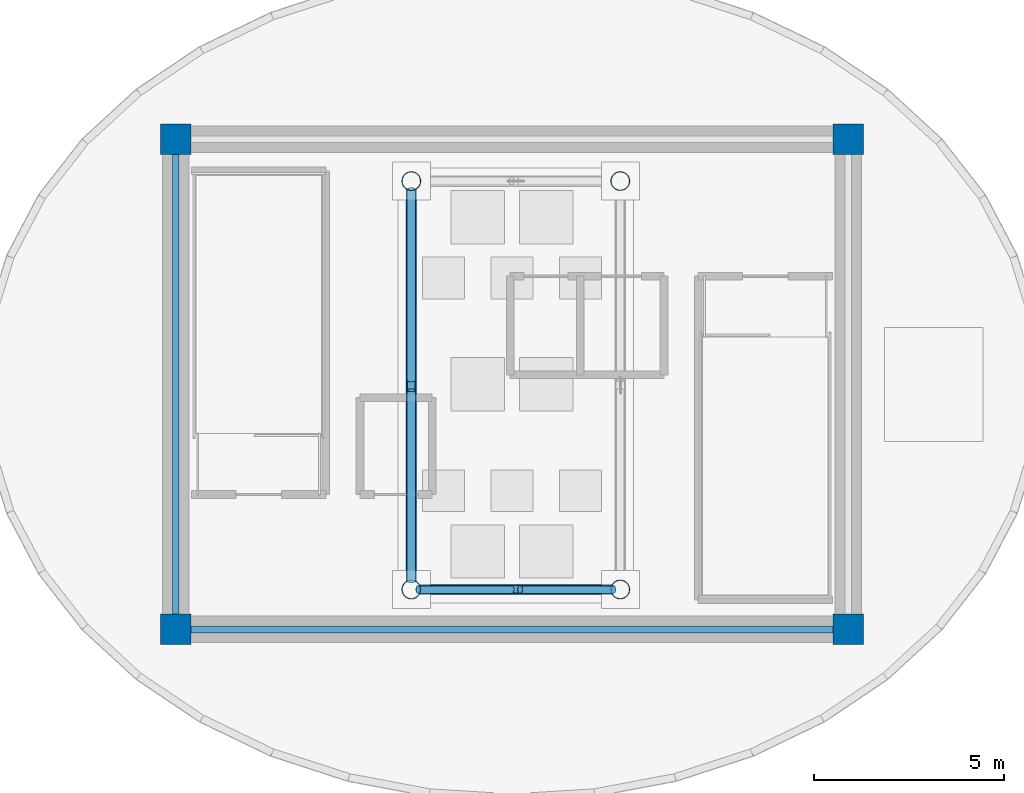
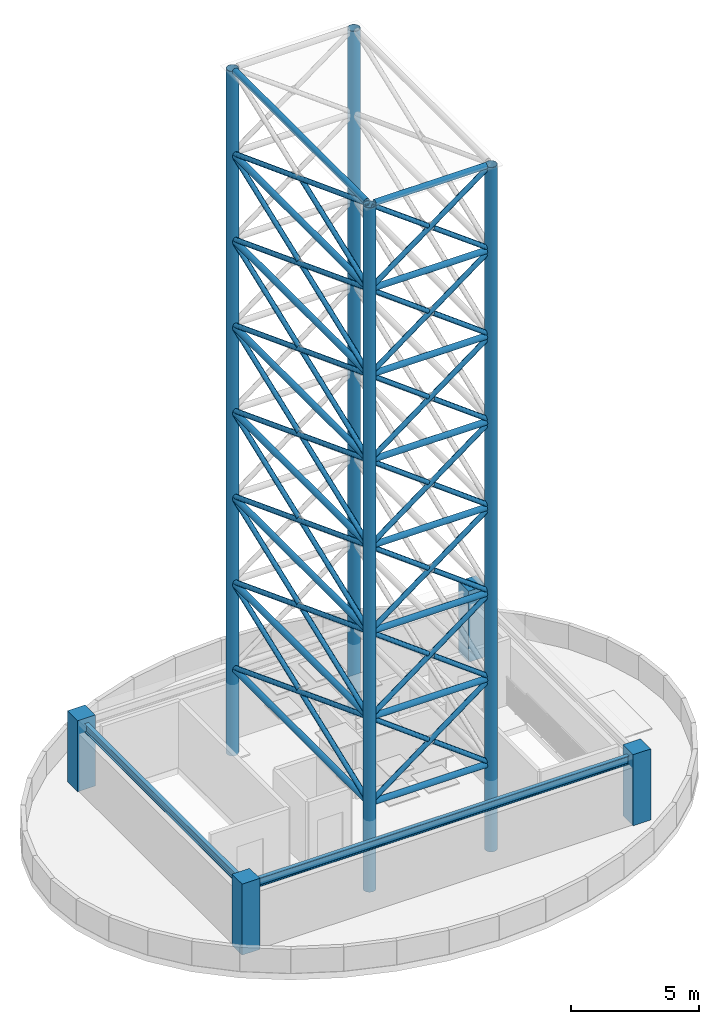
# One storey, part 1 of 6: 41 members, 18 beams, 8 columns.
"""IFC4 building model written with IfcOpenShell, lengths in metres."""

from ifc_helpers import new_model, si_unit, direction, frame, origin, origin_2d, place, context, subcontext, project, spatial, rectangle, hollow_circle, i_section, extrude, material, material_profile, profile_set, type_object, element, save


model = new_model("IFC4")

# Units and contexts
model_context = context("Model", 3, precision=1e-05, world=origin(), true_north=direction((0.0, 1.0)))
body_context = subcontext(model_context, "Body", "Model", "MODEL_VIEW")
ifc_project = project(units=[si_unit("LENGTHUNIT", "METRE"), si_unit("AREAUNIT", "SQUARE_METRE"), si_unit("VOLUMEUNIT", "CUBIC_METRE"), si_unit("PLANEANGLEUNIT", "RADIAN"), si_unit("MASSUNIT", "GRAM", prefix="KILO")], contexts=[model_context])

# Site, building, storey
site_placement = place(None, origin())
site = spatial("IfcSite", under=ifc_project, at=site_placement, CompositionType="ELEMENT")
building_placement = place(site_placement, origin())
building = spatial("IfcBuilding", under=site, at=building_placement, Name="Linh Dai School and Residence Tower", CompositionType="ELEMENT")
storey_placement = place(building_placement, frame((0.0, 0.0, 373.199951171875)))
storey = spatial("IfcBuildingStorey", under=building, at=storey_placement, Name="RF", CompositionType="ELEMENT", Elevation=373.199951171875)

# Columns
ifc_material_1 = material(Name="Concrete B45 (C35/45)", Category="concrete")
ifc_material_profile_1 = material_profile(ifc_material_1, rectangle(XDim=0.800048828125, YDim=0.800048828125, at=origin_2d()), Name="RC 800x800")
ifc_profile_set_1 = profile_set([ifc_material_profile_1], Name="Concrete B45 (C35/45)")
column_type_1 = type_object("IfcColumnType", Name="COL-CC5", PredefinedType="COLUMN", material=ifc_profile_set_1)
for number, where, z_axis, x_axis, name in (
    (1, (27.14990234375, 20.550048828125, 0.0), (0.0, 0.0, 1.0), (1.0, 0.0, 0.0), "RF Core Corner Pier CC1"),
    (2, (44.85009765625, 20.550048828125, 0.0), (0.0, 0.0, 1.0), (1.0, 0.0, 0.0), "RF Core Corner Pier CC2"),
    (3, (44.85009765625, 33.449951171875, 0.0), (0.0, 0.0, 1.0), (1.0, 0.0, 0.0), "RF Core Corner Pier CC3"),
    (4, (27.14990234375, 33.449951171875, 0.0), (0.0, 0.0, 1.0), (1.0, 0.0, 0.0), "RF Core Corner Pier CC4"),
):
    element("IfcColumn", number, at=place(storey_placement, frame(where, z_axis=z_axis, x_axis=x_axis)), inside=storey, type_object=column_type_1, Name=name, PredefinedType="COLUMN", context=body_context, shape_type="SweptSolid", body=[
        extrude(rectangle(XDim=0.800048828125, YDim=0.800048828125, at=origin_2d()), origin(), (0.0, 0.0, 1.0), 3.400146484375),
    ])
ifc_material_2 = material(Name="Structural Steel S355JR", Category="steel")
ifc_material_profile_2 = material_profile(ifc_material_2, hollow_circle(Radius=0.25390625, WallThickness=0.02001953125, at=origin_2d()), Name="CHS 508x20")
ifc_profile_set_2 = profile_set([ifc_material_profile_2], Name="Structural Steel S355JR")
column_type_2 = type_object("IfcColumnType", Name="COL-MST1", PredefinedType="USERDEFINED", material=ifc_profile_set_2)
for number, where, z_axis, x_axis, name in (
    (5, (33.35009765625, 21.60009765625, 0.0), (0.0, 0.0, 1.0), (1.0, 0.0, 0.0), "Lattice Broadcast Mast Leg 1"),
    (6, (38.85009765625, 21.60009765625, 0.0), (0.0, 0.0, 1.0), (1.0, 0.0, 0.0), "Lattice Broadcast Mast Leg 2"),
    (7, (38.85009765625, 32.35009765625, 0.0), (0.0, 0.0, 1.0), (1.0, 0.0, 0.0), "Lattice Broadcast Mast Leg 3"),
    (8, (33.35009765625, 32.35009765625, 0.0), (0.0, 0.0, 1.0), (1.0, 0.0, 0.0), "Lattice Broadcast Mast Leg 4"),
):
    element("IfcColumn", number, at=place(storey_placement, frame(where, z_axis=z_axis, x_axis=x_axis)), inside=storey, type_object=column_type_2, Name=name, ObjectType="MAST", PredefinedType="USERDEFINED", context=body_context, shape_type="SweptSolid", body=[
        extrude(hollow_circle(Radius=0.25390625, WallThickness=0.02001953125, at=origin_2d()), origin(), (0.0, 0.0, 1.0), 32.760009765625),
    ])

# Beams
ifc_material_profile_3 = material_profile(ifc_material_2, hollow_circle(Radius=0.136474609375, WallThickness=0.010009765625, at=origin_2d()), Name="CHS 273x10")
ifc_profile_set_3 = profile_set([ifc_material_profile_3], Name="Structural Steel S355JR")
beam_type_1 = type_object("IfcBeamType", Name="BM-MSTR", PredefinedType="USERDEFINED", material=ifc_profile_set_3)
beam_1_placement = place(storey_placement, frame((33.573974609375, 21.60009765625, 4.10009765625), z_axis=(1.0, 0.0, 0.0), x_axis=(0.0, 1.0, 0.0)))
element("IfcBeam", 9, at=beam_1_placement, inside=storey, type_object=beam_type_1, Name="Lattice Broadcast Mast Ring Strut Tier 1 Face 1", ObjectType="MAST", PredefinedType="USERDEFINED", context=body_context, shape_type="SweptSolid", body=[
    extrude(hollow_circle(Radius=0.136474609375, WallThickness=0.010009765625, at=origin_2d()), origin(), (0.0, 0.0, 1.0), 5.052001953125),
])
beam_2_placement = place(storey_placement, frame((33.35009765625, 32.1259765625, 4.10009765625), z_axis=(0.0, -1.0, 0.0), x_axis=(1.0, 0.0, 0.0)))
element("IfcBeam", 10, at=beam_2_placement, inside=storey, type_object=beam_type_1, Name="Lattice Broadcast Mast Ring Strut Tier 1 Face 4", ObjectType="MAST", PredefinedType="USERDEFINED", context=body_context, shape_type="SweptSolid", body=[
    extrude(hollow_circle(Radius=0.136474609375, WallThickness=0.010009765625, at=origin_2d()), origin(), (0.0, 0.0, 1.0), 10.302001953125),
])
beam_3_placement = place(storey_placement, frame((33.573974609375, 21.60009765625, 8.199951171875), z_axis=(1.0, 0.0, 0.0), x_axis=(0.0, 1.0, 0.0)))
element("IfcBeam", 11, at=beam_3_placement, inside=storey, type_object=beam_type_1, Name="Lattice Broadcast Mast Ring Strut Tier 2 Face 1", ObjectType="MAST", PredefinedType="USERDEFINED", context=body_context, shape_type="SweptSolid", body=[
    extrude(hollow_circle(Radius=0.136474609375, WallThickness=0.010009765625, at=origin_2d()), origin(), (0.0, 0.0, 1.0), 5.052001953125),
])
beam_4_placement = place(storey_placement, frame((33.35009765625, 32.1259765625, 8.199951171875), z_axis=(0.0, -1.0, 0.0), x_axis=(1.0, 0.0, 0.0)))
element("IfcBeam", 12, at=beam_4_placement, inside=storey, type_object=beam_type_1, Name="Lattice Broadcast Mast Ring Strut Tier 2 Face 4", ObjectType="MAST", PredefinedType="USERDEFINED", context=body_context, shape_type="SweptSolid", body=[
    extrude(hollow_circle(Radius=0.136474609375, WallThickness=0.010009765625, at=origin_2d()), origin(), (0.0, 0.0, 1.0), 10.302001953125),
])
beam_5_placement = place(storey_placement, frame((33.573974609375, 21.60009765625, 12.300048828125), z_axis=(1.0, 0.0, 0.0), x_axis=(0.0, 1.0, 0.0)))
element("IfcBeam", 13, at=beam_5_placement, inside=storey, type_object=beam_type_1, Name="Lattice Broadcast Mast Ring Strut Tier 3 Face 1", ObjectType="MAST", PredefinedType="USERDEFINED", context=body_context, shape_type="SweptSolid", body=[
    extrude(hollow_circle(Radius=0.136474609375, WallThickness=0.010009765625, at=origin_2d()), origin(), (0.0, 0.0, 1.0), 5.052001953125),
])
beam_6_placement = place(storey_placement, frame((33.35009765625, 32.1259765625, 12.300048828125), z_axis=(0.0, -1.0, 0.0), x_axis=(1.0, 0.0, 0.0)))
element("IfcBeam", 14, at=beam_6_placement, inside=storey, type_object=beam_type_1, Name="Lattice Broadcast Mast Ring Strut Tier 3 Face 4", ObjectType="MAST", PredefinedType="USERDEFINED", context=body_context, shape_type="SweptSolid", body=[
    extrude(hollow_circle(Radius=0.136474609375, WallThickness=0.010009765625, at=origin_2d()), origin(), (0.0, 0.0, 1.0), 10.302001953125),
])
beam_7_placement = place(storey_placement, frame((33.573974609375, 21.60009765625, 16.400146484375), z_axis=(1.0, 0.0, 0.0), x_axis=(0.0, 1.0, 0.0)))
element("IfcBeam", 15, at=beam_7_placement, inside=storey, type_object=beam_type_1, Name="Lattice Broadcast Mast Ring Strut Tier 4 Face 1", ObjectType="MAST", PredefinedType="USERDEFINED", context=body_context, shape_type="SweptSolid", body=[
    extrude(hollow_circle(Radius=0.136474609375, WallThickness=0.010009765625, at=origin_2d()), origin(), (0.0, 0.0, 1.0), 5.052001953125),
])
beam_8_placement = place(storey_placement, frame((33.35009765625, 32.1259765625, 16.400146484375), z_axis=(0.0, -1.0, 0.0), x_axis=(1.0, 0.0, 0.0)))
element("IfcBeam", 16, at=beam_8_placement, inside=storey, type_object=beam_type_1, Name="Lattice Broadcast Mast Ring Strut Tier 4 Face 4", ObjectType="MAST", PredefinedType="USERDEFINED", context=body_context, shape_type="SweptSolid", body=[
    extrude(hollow_circle(Radius=0.136474609375, WallThickness=0.010009765625, at=origin_2d()), origin(), (0.0, 0.0, 1.0), 10.302001953125),
])
beam_9_placement = place(storey_placement, frame((33.573974609375, 21.60009765625, 20.5), z_axis=(1.0, 0.0, 0.0), x_axis=(0.0, 1.0, 0.0)))
element("IfcBeam", 17, at=beam_9_placement, inside=storey, type_object=beam_type_1, Name="Lattice Broadcast Mast Ring Strut Tier 5 Face 1", ObjectType="MAST", PredefinedType="USERDEFINED", context=body_context, shape_type="SweptSolid", body=[
    extrude(hollow_circle(Radius=0.136474609375, WallThickness=0.010009765625, at=origin_2d()), origin(), (0.0, 0.0, 1.0), 5.052001953125),
])
beam_10_placement = place(storey_placement, frame((33.35009765625, 32.1259765625, 20.5), z_axis=(0.0, -1.0, 0.0), x_axis=(1.0, 0.0, 0.0)))
element("IfcBeam", 18, at=beam_10_placement, inside=storey, type_object=beam_type_1, Name="Lattice Broadcast Mast Ring Strut Tier 5 Face 4", ObjectType="MAST", PredefinedType="USERDEFINED", context=body_context, shape_type="SweptSolid", body=[
    extrude(hollow_circle(Radius=0.136474609375, WallThickness=0.010009765625, at=origin_2d()), origin(), (0.0, 0.0, 1.0), 10.302001953125),
])
beam_11_placement = place(storey_placement, frame((33.573974609375, 21.60009765625, 24.60009765625), z_axis=(1.0, 0.0, 0.0), x_axis=(0.0, 1.0, 0.0)))
element("IfcBeam", 19, at=beam_11_placement, inside=storey, type_object=beam_type_1, Name="Lattice Broadcast Mast Ring Strut Tier 6 Face 1", ObjectType="MAST", PredefinedType="USERDEFINED", context=body_context, shape_type="SweptSolid", body=[
    extrude(hollow_circle(Radius=0.136474609375, WallThickness=0.010009765625, at=origin_2d()), origin(), (0.0, 0.0, 1.0), 5.052001953125),
])
beam_12_placement = place(storey_placement, frame((33.35009765625, 32.1259765625, 24.60009765625), z_axis=(0.0, -1.0, 0.0), x_axis=(1.0, 0.0, 0.0)))
element("IfcBeam", 20, at=beam_12_placement, inside=storey, type_object=beam_type_1, Name="Lattice Broadcast Mast Ring Strut Tier 6 Face 4", ObjectType="MAST", PredefinedType="USERDEFINED", context=body_context, shape_type="SweptSolid", body=[
    extrude(hollow_circle(Radius=0.136474609375, WallThickness=0.010009765625, at=origin_2d()), origin(), (0.0, 0.0, 1.0), 10.302001953125),
])
beam_13_placement = place(storey_placement, frame((33.573974609375, 21.60009765625, 28.699951171875), z_axis=(1.0, 0.0, 0.0), x_axis=(0.0, 1.0, 0.0)))
element("IfcBeam", 21, at=beam_13_placement, inside=storey, type_object=beam_type_1, Name="Lattice Broadcast Mast Ring Strut Tier 7 Face 1", ObjectType="MAST", PredefinedType="USERDEFINED", context=body_context, shape_type="SweptSolid", body=[
    extrude(hollow_circle(Radius=0.136474609375, WallThickness=0.010009765625, at=origin_2d()), origin(), (0.0, 0.0, 1.0), 5.052001953125),
])
beam_14_placement = place(storey_placement, frame((33.35009765625, 32.1259765625, 28.699951171875), z_axis=(0.0, -1.0, 0.0), x_axis=(1.0, 0.0, 0.0)))
element("IfcBeam", 22, at=beam_14_placement, inside=storey, type_object=beam_type_1, Name="Lattice Broadcast Mast Ring Strut Tier 7 Face 4", ObjectType="MAST", PredefinedType="USERDEFINED", context=body_context, shape_type="SweptSolid", body=[
    extrude(hollow_circle(Radius=0.136474609375, WallThickness=0.010009765625, at=origin_2d()), origin(), (0.0, 0.0, 1.0), 10.302001953125),
])
beam_15_placement = place(storey_placement, frame((33.573974609375, 21.60009765625, 32.760009765625), z_axis=(1.0, 0.0, 0.0), x_axis=(0.0, 1.0, 0.0)))
element("IfcBeam", 23, at=beam_15_placement, inside=storey, type_object=beam_type_1, Name="Lattice Broadcast Mast Ring Strut Tier 8 Face 1", ObjectType="MAST", PredefinedType="USERDEFINED", context=body_context, shape_type="SweptSolid", body=[
    extrude(hollow_circle(Radius=0.136474609375, WallThickness=0.010009765625, at=origin_2d()), origin(), (0.0, 0.0, 1.0), 5.052001953125),
])
beam_16_placement = place(storey_placement, frame((33.35009765625, 32.1259765625, 32.760009765625), z_axis=(0.0, -1.0, 0.0), x_axis=(1.0, 0.0, 0.0)))
element("IfcBeam", 24, at=beam_16_placement, inside=storey, type_object=beam_type_1, Name="Lattice Broadcast Mast Ring Strut Tier 8 Face 4", ObjectType="MAST", PredefinedType="USERDEFINED", context=body_context, shape_type="SweptSolid", body=[
    extrude(hollow_circle(Radius=0.136474609375, WallThickness=0.010009765625, at=origin_2d()), origin(), (0.0, 0.0, 1.0), 10.302001953125),
])
ifc_material_profile_4 = material_profile(ifc_material_2, i_section(OverallWidth=0.179931640625, OverallDepth=0.39990234375, WebThickness=0.008544921875, FlangeThickness=0.013427734375, FilletRadius=0.02099609375, at=origin_2d()), Name="IPE 400")
ifc_profile_set_4 = profile_set([ifc_material_profile_4], Name="Structural Steel S355JR")
beam_type_2 = type_object("IfcBeamType", Name="BM-SB40", PredefinedType="BEAM", material=ifc_profile_set_4)
beam_17_placement = place(storey_placement, frame((27.52001953125, 20.550048828125, 2.949951171875), z_axis=(1.0, 0.0, 0.0), x_axis=(0.0, 1.0, 0.0)))
element("IfcBeam", 25, at=beam_17_placement, inside=storey, type_object=beam_type_2, Name="RF Vestibule Roof Edge Beam 1", PredefinedType="BEAM", context=body_context, shape_type="SweptSolid", body=[
    extrude(i_section(OverallWidth=0.179931640625, OverallDepth=0.39990234375, WebThickness=0.008544921875, FlangeThickness=0.013427734375, FilletRadius=0.02099609375, at=origin_2d()), origin(), (0.0, 0.0, 1.0), 16.9599609375),
])
beam_18_placement = place(storey_placement, frame((27.14990234375, 33.080078125, 2.949951171875), z_axis=(0.0, -1.0, 0.0), x_axis=(1.0, 0.0, 0.0)))
element("IfcBeam", 26, at=beam_18_placement, inside=storey, type_object=beam_type_2, Name="RF Vestibule Roof Edge Beam 4", PredefinedType="BEAM", context=body_context, shape_type="SweptSolid", body=[
    extrude(i_section(OverallWidth=0.179931640625, OverallDepth=0.39990234375, WebThickness=0.008544921875, FlangeThickness=0.013427734375, FilletRadius=0.02099609375, at=origin_2d()), origin(), (0.0, 0.0, 1.0), 12.16015625),
])

# Members
ifc_material_profile_5 = material_profile(ifc_material_2, hollow_circle(Radius=0.109619140625, WallThickness=0.008056640625, at=origin_2d()), Name="CHS 219.1x8")
ifc_profile_set_5 = profile_set([ifc_material_profile_5], Name="Structural Steel S355JR")
member_type = type_object("IfcMemberType", Name="MBR-MSTB", PredefinedType="USERDEFINED", material=ifc_profile_set_5)
member_1_placement = place(storey_placement, frame((33.529541015625, 21.60009765625, 4.23388671875), z_axis=(0.801746527221, 0.0, 0.597664208472), x_axis=(0.0, 1.0, 0.0)))
element("IfcMember", 27, at=member_1_placement, inside=storey, type_object=member_type, Name="Lattice Broadcast Mast Continuous X-Brace Tier 2 Face 1", ObjectType="MAST", PredefinedType="USERDEFINED", context=body_context, shape_type="SweptSolid", body=[
    extrude(hollow_circle(Radius=0.109619140625, WallThickness=0.008056640625, at=origin_2d()), origin(), (0.0, 0.0, 1.0), 6.412109375),
])
for number, where, z_axis, x_axis, name in (
    (28, (38.67041015625, 21.60009765625, 4.23388671875), (-0.801745170064, 0.0, 0.597666029049), (0.0, -1.0, 0.0), "Lattice Broadcast Mast Split X-Brace Tier 2 Face 1 B1"),
    (29, (35.98779296875, 21.60009765625, 6.233642578125), (-0.801745170064, 0.0, 0.597666029049), (0.0, -1.0, 0.0), "Lattice Broadcast Mast Split X-Brace Tier 2 Face 1 B2"),
):
    element("IfcMember", number, at=place(storey_placement, frame(where, z_axis=z_axis, x_axis=x_axis)), inside=storey, type_object=member_type, Name=name, ObjectType="MAST", PredefinedType="USERDEFINED", context=body_context, shape_type="SweptSolid", body=[
        extrude(hollow_circle(Radius=0.109619140625, WallThickness=0.008056640625, at=origin_2d()), origin(), (0.0, 0.0, 1.0), 3.066162109375),
    ])
member_2_placement = place(storey_placement, frame((33.35009765625, 32.140625, 4.179931640625), z_axis=(0.0, -0.934353702999, 0.356346962514), x_axis=(1.0, 0.0, 0.0)))
element("IfcMember", 30, at=member_2_placement, inside=storey, type_object=member_type, Name="Lattice Broadcast Mast Continuous X-Brace Tier 2 Face 4", ObjectType="MAST", PredefinedType="USERDEFINED", context=body_context, shape_type="SweptSolid", body=[
    extrude(hollow_circle(Radius=0.109619140625, WallThickness=0.008056640625, at=origin_2d()), origin(), (0.0, 0.0, 1.0), 11.05712890625),
])
for number, where, z_axis, x_axis, name in (
    (31, (33.35009765625, 21.809326171875, 4.179931640625), (0.0, 0.934357763918, 0.356336314465), (-1.0, 0.0, 0.0), "Lattice Broadcast Mast Split X-Brace Tier 2 Face 4 B1"),
    (32, (33.35009765625, 27.105712890625, 6.199951171875), (0.0, 0.934357763918, 0.356336314465), (-1.0, 0.0, 0.0), "Lattice Broadcast Mast Split X-Brace Tier 2 Face 4 B2"),
):
    element("IfcMember", number, at=place(storey_placement, frame(where, z_axis=z_axis, x_axis=x_axis)), inside=storey, type_object=member_type, Name=name, ObjectType="MAST", PredefinedType="USERDEFINED", context=body_context, shape_type="SweptSolid", body=[
        extrude(hollow_circle(Radius=0.109619140625, WallThickness=0.008056640625, at=origin_2d()), origin(), (0.0, 0.0, 1.0), 5.388671875),
    ])
member_3_placement = place(storey_placement, frame((33.529541015625, 21.60009765625, 8.333984375), z_axis=(0.801746527221, 0.0, 0.597664208472), x_axis=(0.0, 1.0, 0.0)))
element("IfcMember", 33, at=member_3_placement, inside=storey, type_object=member_type, Name="Lattice Broadcast Mast Continuous X-Brace Tier 3 Face 1", ObjectType="MAST", PredefinedType="USERDEFINED", context=body_context, shape_type="SweptSolid", body=[
    extrude(hollow_circle(Radius=0.109619140625, WallThickness=0.008056640625, at=origin_2d()), origin(), (0.0, 0.0, 1.0), 6.412109375),
])
member_4_placement = place(storey_placement, frame((38.67041015625, 21.60009765625, 8.333984375), z_axis=(-0.801783324672, 0.0, 0.597614842752), x_axis=(0.0, -1.0, 0.0)))
element("IfcMember", 34, at=member_4_placement, inside=storey, type_object=member_type, Name="Lattice Broadcast Mast Split X-Brace Tier 3 Face 1 B1", ObjectType="MAST", PredefinedType="USERDEFINED", context=body_context, shape_type="SweptSolid", body=[
    extrude(hollow_circle(Radius=0.109619140625, WallThickness=0.008056640625, at=origin_2d()), origin(), (0.0, 0.0, 1.0), 3.06591796875),
])
member_5_placement = place(storey_placement, frame((35.98779296875, 21.60009765625, 10.333740234375), z_axis=(-0.801745170064, 0.0, 0.597666029049), x_axis=(0.0, -1.0, 0.0)))
element("IfcMember", 35, at=member_5_placement, inside=storey, type_object=member_type, Name="Lattice Broadcast Mast Split X-Brace Tier 3 Face 1 B2", ObjectType="MAST", PredefinedType="USERDEFINED", context=body_context, shape_type="SweptSolid", body=[
    extrude(hollow_circle(Radius=0.109619140625, WallThickness=0.008056640625, at=origin_2d()), origin(), (0.0, 0.0, 1.0), 3.066162109375),
])
member_6_placement = place(storey_placement, frame((33.35009765625, 32.140625, 8.27978515625), z_axis=(0.0, -0.934346351276, 0.356366238381), x_axis=(1.0, 0.0, 0.0)))
element("IfcMember", 36, at=member_6_placement, inside=storey, type_object=member_type, Name="Lattice Broadcast Mast Continuous X-Brace Tier 3 Face 4", ObjectType="MAST", PredefinedType="USERDEFINED", context=body_context, shape_type="SweptSolid", body=[
    extrude(hollow_circle(Radius=0.109619140625, WallThickness=0.008056640625, at=origin_2d()), origin(), (0.0, 0.0, 1.0), 11.05712890625),
])
for number, where, z_axis, x_axis, name in (
    (37, (33.35009765625, 21.809326171875, 8.27978515625), (0.0, 0.934342678695, 0.356375867265), (-1.0, 0.0, 0.0), "Lattice Broadcast Mast Split X-Brace Tier 3 Face 4 B1"),
    (38, (33.35009765625, 27.105712890625, 10.300048828125), (0.0, 0.934357763918, 0.356336314465), (-1.0, 0.0, 0.0), "Lattice Broadcast Mast Split X-Brace Tier 3 Face 4 B2"),
):
    element("IfcMember", number, at=place(storey_placement, frame(where, z_axis=z_axis, x_axis=x_axis)), inside=storey, type_object=member_type, Name=name, ObjectType="MAST", PredefinedType="USERDEFINED", context=body_context, shape_type="SweptSolid", body=[
        extrude(hollow_circle(Radius=0.109619140625, WallThickness=0.008056640625, at=origin_2d()), origin(), (0.0, 0.0, 1.0), 5.388671875),
    ])
member_7_placement = place(storey_placement, frame((33.529541015625, 21.60009765625, 12.433837890625), z_axis=(0.801746527221, 0.0, 0.597664208472), x_axis=(0.0, 1.0, 0.0)))
element("IfcMember", 39, at=member_7_placement, inside=storey, type_object=member_type, Name="Lattice Broadcast Mast Continuous X-Brace Tier 4 Face 1", ObjectType="MAST", PredefinedType="USERDEFINED", context=body_context, shape_type="SweptSolid", body=[
    extrude(hollow_circle(Radius=0.109619140625, WallThickness=0.008056640625, at=origin_2d()), origin(), (0.0, 0.0, 1.0), 6.412109375),
])
member_8_placement = place(storey_placement, frame((38.67041015625, 21.60009765625, 12.433837890625), z_axis=(-0.801745170064, 0.0, 0.597666029049), x_axis=(0.0, -1.0, 0.0)))
element("IfcMember", 40, at=member_8_placement, inside=storey, type_object=member_type, Name="Lattice Broadcast Mast Split X-Brace Tier 4 Face 1 B1", ObjectType="MAST", PredefinedType="USERDEFINED", context=body_context, shape_type="SweptSolid", body=[
    extrude(hollow_circle(Radius=0.109619140625, WallThickness=0.008056640625, at=origin_2d()), origin(), (0.0, 0.0, 1.0), 3.066162109375),
])
member_9_placement = place(storey_placement, frame((35.98779296875, 21.60009765625, 14.433837890625), z_axis=(-0.801783324672, 0.0, 0.597614842752), x_axis=(0.0, -1.0, 0.0)))
element("IfcMember", 41, at=member_9_placement, inside=storey, type_object=member_type, Name="Lattice Broadcast Mast Split X-Brace Tier 4 Face 1 B2", ObjectType="MAST", PredefinedType="USERDEFINED", context=body_context, shape_type="SweptSolid", body=[
    extrude(hollow_circle(Radius=0.109619140625, WallThickness=0.008056640625, at=origin_2d()), origin(), (0.0, 0.0, 1.0), 3.06591796875),
])
member_10_placement = place(storey_placement, frame((33.35009765625, 32.140625, 12.3798828125), z_axis=(0.0, -0.934346351276, 0.356366238381), x_axis=(1.0, 0.0, 0.0)))
element("IfcMember", 42, at=member_10_placement, inside=storey, type_object=member_type, Name="Lattice Broadcast Mast Continuous X-Brace Tier 4 Face 4", ObjectType="MAST", PredefinedType="USERDEFINED", context=body_context, shape_type="SweptSolid", body=[
    extrude(hollow_circle(Radius=0.109619140625, WallThickness=0.008056640625, at=origin_2d()), origin(), (0.0, 0.0, 1.0), 11.05712890625),
])
for number, where, z_axis, x_axis, name in (
    (43, (33.35009765625, 21.809326171875, 12.3798828125), (0.0, 0.934357763918, 0.356336314465), (-1.0, 0.0, 0.0), "Lattice Broadcast Mast Split X-Brace Tier 4 Face 4 B1"),
    (44, (33.35009765625, 27.105712890625, 14.39990234375), (0.0, 0.934342678695, 0.356375867265), (-1.0, 0.0, 0.0), "Lattice Broadcast Mast Split X-Brace Tier 4 Face 4 B2"),
):
    element("IfcMember", number, at=place(storey_placement, frame(where, z_axis=z_axis, x_axis=x_axis)), inside=storey, type_object=member_type, Name=name, ObjectType="MAST", PredefinedType="USERDEFINED", context=body_context, shape_type="SweptSolid", body=[
        extrude(hollow_circle(Radius=0.109619140625, WallThickness=0.008056640625, at=origin_2d()), origin(), (0.0, 0.0, 1.0), 5.388671875),
    ])
member_11_placement = place(storey_placement, frame((33.529541015625, 21.60009765625, 16.533935546875), z_axis=(0.801746527221, 0.0, 0.597664208472), x_axis=(0.0, 1.0, 0.0)))
element("IfcMember", 45, at=member_11_placement, inside=storey, type_object=member_type, Name="Lattice Broadcast Mast Continuous X-Brace Tier 5 Face 1", ObjectType="MAST", PredefinedType="USERDEFINED", context=body_context, shape_type="SweptSolid", body=[
    extrude(hollow_circle(Radius=0.109619140625, WallThickness=0.008056640625, at=origin_2d()), origin(), (0.0, 0.0, 1.0), 6.412109375),
])
for number, where, z_axis, x_axis, name in (
    (46, (38.67041015625, 21.60009765625, 16.533935546875), (-0.801745170064, 0.0, 0.597666029049), (0.0, -1.0, 0.0), "Lattice Broadcast Mast Split X-Brace Tier 5 Face 1 B1"),
    (47, (35.98779296875, 21.60009765625, 18.53369140625), (-0.801745170064, 0.0, 0.597666029049), (0.0, -1.0, 0.0), "Lattice Broadcast Mast Split X-Brace Tier 5 Face 1 B2"),
):
    element("IfcMember", number, at=place(storey_placement, frame(where, z_axis=z_axis, x_axis=x_axis)), inside=storey, type_object=member_type, Name=name, ObjectType="MAST", PredefinedType="USERDEFINED", context=body_context, shape_type="SweptSolid", body=[
        extrude(hollow_circle(Radius=0.109619140625, WallThickness=0.008056640625, at=origin_2d()), origin(), (0.0, 0.0, 1.0), 3.066162109375),
    ])
member_12_placement = place(storey_placement, frame((33.35009765625, 32.140625, 16.47998046875), z_axis=(0.0, -0.934353702999, 0.356346962514), x_axis=(1.0, 0.0, 0.0)))
element("IfcMember", 48, at=member_12_placement, inside=storey, type_object=member_type, Name="Lattice Broadcast Mast Continuous X-Brace Tier 5 Face 4", ObjectType="MAST", PredefinedType="USERDEFINED", context=body_context, shape_type="SweptSolid", body=[
    extrude(hollow_circle(Radius=0.109619140625, WallThickness=0.008056640625, at=origin_2d()), origin(), (0.0, 0.0, 1.0), 11.05712890625),
])
for number, where, z_axis, x_axis, name in (
    (49, (33.35009765625, 21.809326171875, 16.47998046875), (0.0, 0.934357763918, 0.356336314465), (-1.0, 0.0, 0.0), "Lattice Broadcast Mast Split X-Brace Tier 5 Face 4 B1"),
    (50, (33.35009765625, 27.105712890625, 18.5), (0.0, 0.934357763918, 0.356336314465), (-1.0, 0.0, 0.0), "Lattice Broadcast Mast Split X-Brace Tier 5 Face 4 B2"),
):
    element("IfcMember", number, at=place(storey_placement, frame(where, z_axis=z_axis, x_axis=x_axis)), inside=storey, type_object=member_type, Name=name, ObjectType="MAST", PredefinedType="USERDEFINED", context=body_context, shape_type="SweptSolid", body=[
        extrude(hollow_circle(Radius=0.109619140625, WallThickness=0.008056640625, at=origin_2d()), origin(), (0.0, 0.0, 1.0), 5.388671875),
    ])
member_13_placement = place(storey_placement, frame((33.529541015625, 21.60009765625, 20.634033203125), z_axis=(0.801764771887, 0.0, 0.597639733084), x_axis=(0.0, 1.0, 0.0)))
element("IfcMember", 51, at=member_13_placement, inside=storey, type_object=member_type, Name="Lattice Broadcast Mast Continuous X-Brace Tier 6 Face 1", ObjectType="MAST", PredefinedType="USERDEFINED", context=body_context, shape_type="SweptSolid", body=[
    extrude(hollow_circle(Radius=0.109619140625, WallThickness=0.008056640625, at=origin_2d()), origin(), (0.0, 0.0, 1.0), 6.411865234375),
])
for number, where, z_axis, x_axis, name in (
    (52, (38.67041015625, 21.60009765625, 20.634033203125), (-0.801783324672, 0.0, 0.597614842752), (0.0, -1.0, 0.0), "Lattice Broadcast Mast Split X-Brace Tier 6 Face 1 B1"),
    (53, (35.98779296875, 21.60009765625, 22.6337890625), (-0.801783324672, 0.0, 0.597614842752), (0.0, -1.0, 0.0), "Lattice Broadcast Mast Split X-Brace Tier 6 Face 1 B2"),
):
    element("IfcMember", number, at=place(storey_placement, frame(where, z_axis=z_axis, x_axis=x_axis)), inside=storey, type_object=member_type, Name=name, ObjectType="MAST", PredefinedType="USERDEFINED", context=body_context, shape_type="SweptSolid", body=[
        extrude(hollow_circle(Radius=0.109619140625, WallThickness=0.008056640625, at=origin_2d()), origin(), (0.0, 0.0, 1.0), 3.06591796875),
    ])
member_14_placement = place(storey_placement, frame((33.35009765625, 32.140625, 20.579833984375), z_axis=(0.0, -0.934346351276, 0.356366238381), x_axis=(1.0, 0.0, 0.0)))
element("IfcMember", 54, at=member_14_placement, inside=storey, type_object=member_type, Name="Lattice Broadcast Mast Continuous X-Brace Tier 6 Face 4", ObjectType="MAST", PredefinedType="USERDEFINED", context=body_context, shape_type="SweptSolid", body=[
    extrude(hollow_circle(Radius=0.109619140625, WallThickness=0.008056640625, at=origin_2d()), origin(), (0.0, 0.0, 1.0), 11.05712890625),
])
for number, where, z_axis, x_axis, name in (
    (55, (33.35009765625, 21.809326171875, 20.579833984375), (0.0, 0.934342678695, 0.356375867265), (-1.0, 0.0, 0.0), "Lattice Broadcast Mast Split X-Brace Tier 6 Face 4 B1"),
    (56, (33.35009765625, 27.105712890625, 22.599853515625), (0.0, 0.934342678695, 0.356375867265), (-1.0, 0.0, 0.0), "Lattice Broadcast Mast Split X-Brace Tier 6 Face 4 B2"),
):
    element("IfcMember", number, at=place(storey_placement, frame(where, z_axis=z_axis, x_axis=x_axis)), inside=storey, type_object=member_type, Name=name, ObjectType="MAST", PredefinedType="USERDEFINED", context=body_context, shape_type="SweptSolid", body=[
        extrude(hollow_circle(Radius=0.109619140625, WallThickness=0.008056640625, at=origin_2d()), origin(), (0.0, 0.0, 1.0), 5.388671875),
    ])
member_15_placement = place(storey_placement, frame((33.529541015625, 21.60009765625, 24.73388671875), z_axis=(0.801746527221, 0.0, 0.597664208472), x_axis=(0.0, 1.0, 0.0)))
element("IfcMember", 57, at=member_15_placement, inside=storey, type_object=member_type, Name="Lattice Broadcast Mast Continuous X-Brace Tier 7 Face 1", ObjectType="MAST", PredefinedType="USERDEFINED", context=body_context, shape_type="SweptSolid", body=[
    extrude(hollow_circle(Radius=0.109619140625, WallThickness=0.008056640625, at=origin_2d()), origin(), (0.0, 0.0, 1.0), 6.412109375),
])
for number, where, z_axis, x_axis, name in (
    (58, (38.67041015625, 21.60009765625, 24.73388671875), (-0.801745170064, 0.0, 0.597666029049), (0.0, -1.0, 0.0), "Lattice Broadcast Mast Split X-Brace Tier 7 Face 1 B1"),
    (59, (35.98779296875, 21.60009765625, 26.733642578125), (-0.801745170064, 0.0, 0.597666029049), (0.0, -1.0, 0.0), "Lattice Broadcast Mast Split X-Brace Tier 7 Face 1 B2"),
):
    element("IfcMember", number, at=place(storey_placement, frame(where, z_axis=z_axis, x_axis=x_axis)), inside=storey, type_object=member_type, Name=name, ObjectType="MAST", PredefinedType="USERDEFINED", context=body_context, shape_type="SweptSolid", body=[
        extrude(hollow_circle(Radius=0.109619140625, WallThickness=0.008056640625, at=origin_2d()), origin(), (0.0, 0.0, 1.0), 3.066162109375),
    ])
member_16_placement = place(storey_placement, frame((33.35009765625, 32.140625, 24.679931640625), z_axis=(0.0, -0.934353702999, 0.356346962514), x_axis=(1.0, 0.0, 0.0)))
element("IfcMember", 60, at=member_16_placement, inside=storey, type_object=member_type, Name="Lattice Broadcast Mast Continuous X-Brace Tier 7 Face 4", ObjectType="MAST", PredefinedType="USERDEFINED", context=body_context, shape_type="SweptSolid", body=[
    extrude(hollow_circle(Radius=0.109619140625, WallThickness=0.008056640625, at=origin_2d()), origin(), (0.0, 0.0, 1.0), 11.05712890625),
])
for number, where, z_axis, x_axis, name in (
    (61, (33.35009765625, 21.809326171875, 24.679931640625), (0.0, 0.934357763918, 0.356336314465), (-1.0, 0.0, 0.0), "Lattice Broadcast Mast Split X-Brace Tier 7 Face 4 B1"),
    (62, (33.35009765625, 27.105712890625, 26.699951171875), (0.0, 0.934357763918, 0.356336314465), (-1.0, 0.0, 0.0), "Lattice Broadcast Mast Split X-Brace Tier 7 Face 4 B2"),
):
    element("IfcMember", number, at=place(storey_placement, frame(where, z_axis=z_axis, x_axis=x_axis)), inside=storey, type_object=member_type, Name=name, ObjectType="MAST", PredefinedType="USERDEFINED", context=body_context, shape_type="SweptSolid", body=[
        extrude(hollow_circle(Radius=0.109619140625, WallThickness=0.008056640625, at=origin_2d()), origin(), (0.0, 0.0, 1.0), 5.388671875),
    ])
member_17_placement = place(storey_placement, frame((33.5302734375, 21.60009765625, 28.8330078125), z_axis=(0.804531034679, 0.0, 0.59391061132), x_axis=(0.0, 1.0, 0.0)))
element("IfcMember", 63, at=member_17_placement, inside=storey, type_object=member_type, Name="Lattice Broadcast Mast Continuous X-Brace Tier 8 Face 1", ObjectType="MAST", PredefinedType="USERDEFINED", context=body_context, shape_type="SweptSolid", body=[
    extrude(hollow_circle(Radius=0.109619140625, WallThickness=0.008056640625, at=origin_2d()), origin(), (0.0, 0.0, 1.0), 6.38818359375),
])
member_18_placement = place(storey_placement, frame((38.669677734375, 21.60009765625, 28.8330078125), z_axis=(-0.804504960002, 0.0, 0.593945931321), x_axis=(0.0, -1.0, 0.0)))
element("IfcMember", 64, at=member_18_placement, inside=storey, type_object=member_type, Name="Lattice Broadcast Mast Split X-Brace Tier 8 Face 1 B1", ObjectType="MAST", PredefinedType="USERDEFINED", context=body_context, shape_type="SweptSolid", body=[
    extrude(hollow_circle(Radius=0.109619140625, WallThickness=0.008056640625, at=origin_2d()), origin(), (0.0, 0.0, 1.0), 3.05419921875),
])
member_19_placement = place(storey_placement, frame((35.9873046875, 21.60009765625, 30.813232421875), z_axis=(-0.804543157546, 0.0, 0.593894188931), x_axis=(0.0, -1.0, 0.0)))
element("IfcMember", 65, at=member_19_placement, inside=storey, type_object=member_type, Name="Lattice Broadcast Mast Split X-Brace Tier 8 Face 1 B2", ObjectType="MAST", PredefinedType="USERDEFINED", context=body_context, shape_type="SweptSolid", body=[
    extrude(hollow_circle(Radius=0.109619140625, WallThickness=0.008056640625, at=origin_2d()), origin(), (0.0, 0.0, 1.0), 3.053955078125),
])
member_20_placement = place(storey_placement, frame((33.35009765625, 32.140380859375, 28.779296875), z_axis=(0.0, -0.935506197383, 0.353310280997), x_axis=(1.0, 0.0, 0.0)))
element("IfcMember", 66, at=member_20_placement, inside=storey, type_object=member_type, Name="Lattice Broadcast Mast Continuous X-Brace Tier 8 Face 4", ObjectType="MAST", PredefinedType="USERDEFINED", context=body_context, shape_type="SweptSolid", body=[
    extrude(hollow_circle(Radius=0.109619140625, WallThickness=0.008056640625, at=origin_2d()), origin(), (0.0, 0.0, 1.0), 11.04296875),
])
member_21_placement = place(storey_placement, frame((33.35009765625, 21.8095703125, 28.779296875), z_axis=(0.0, 0.935504418838, 0.353314990248), x_axis=(-1.0, 0.0, 0.0)))
element("IfcMember", 67, at=member_21_placement, inside=storey, type_object=member_type, Name="Lattice Broadcast Mast Split X-Brace Tier 8 Face 4 B1", ObjectType="MAST", PredefinedType="USERDEFINED", context=body_context, shape_type="SweptSolid", body=[
    extrude(hollow_circle(Radius=0.109619140625, WallThickness=0.008056640625, at=origin_2d()), origin(), (0.0, 0.0, 1.0), 5.381591796875),
])

save(model, "model.ifc")
